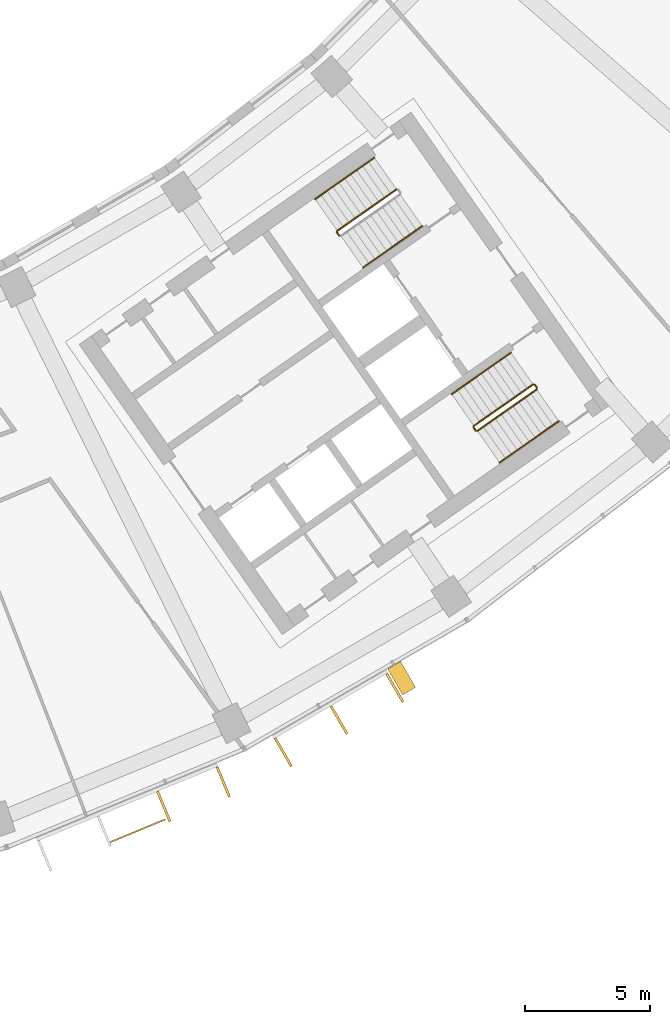
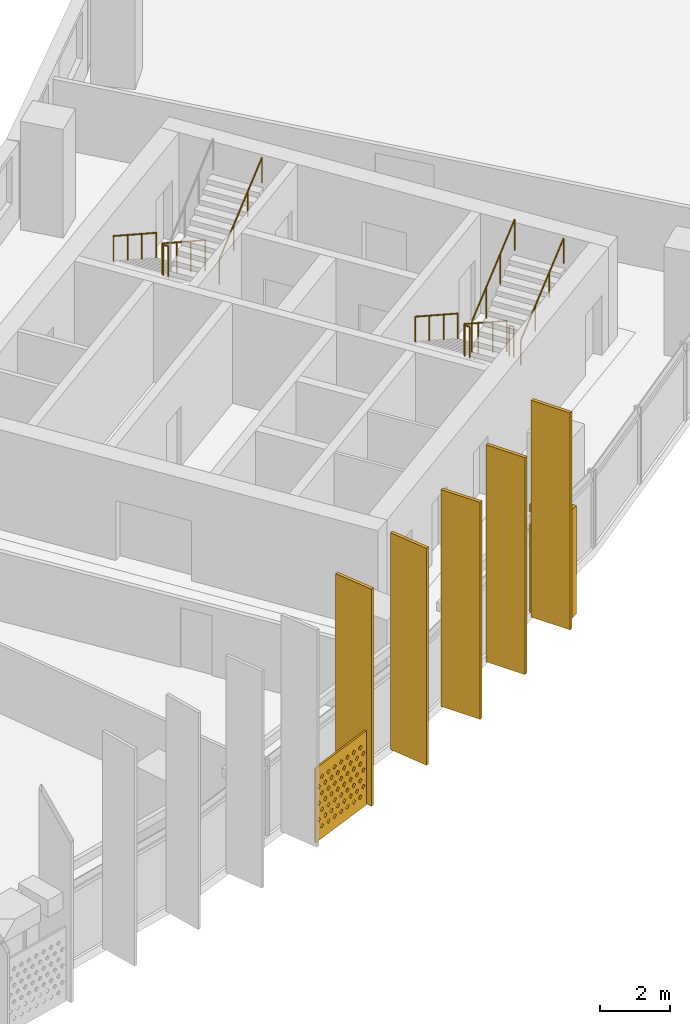
# One storey, part 26 of 27: 8 railings, 7 shading devices.
"""IFC4 building model written with IfcOpenShell, lengths in metres."""

from ifc_helpers import new_model, si_unit, direction, frame, origin, origin_2d, place, context, subcontext, project, spatial, polyline, rectangle, circle, outline, extrude, material, material_profile, profile_set, type_object, element, save


model = new_model("IFC4")

# Units and contexts
model_context = context("Model", 3, precision=1e-05, world=origin(), true_north=direction((0.0, 1.0)))
body_context = subcontext(model_context, "Body", "Model", "MODEL_VIEW")
ifc_project = project(units=[si_unit("LENGTHUNIT", "METRE"), si_unit("AREAUNIT", "SQUARE_METRE"), si_unit("VOLUMEUNIT", "CUBIC_METRE"), si_unit("PLANEANGLEUNIT", "RADIAN"), si_unit("MASSUNIT", "GRAM", prefix="KILO")], contexts=[model_context])

# Site, building, storey
site_placement = place(None, origin())
site = spatial("IfcSite", under=ifc_project, at=site_placement, CompositionType="ELEMENT")
building_placement = place(site_placement, origin())
building = spatial("IfcBuilding", under=site, at=building_placement, Name="Qamariyya Broadcast Tower", CompositionType="ELEMENT")
storey_placement = place(building_placement, frame((0.0, 0.0, 179.699951171875)))
storey = spatial("IfcBuildingStorey", under=building, at=storey_placement, Name="L42", CompositionType="ELEMENT", Elevation=179.699951171875)

# Shading devices
ifc_material_1 = material(Name="Steel S355 powder coated deep red", Category="steel")
shading_device_type_1 = type_object("IfcShadingDeviceType", Name="Deep red frame, powder coated steel box section", PredefinedType="USERDEFINED", material=ifc_material_1)
shading_device_1_placement = place(storey_placement, origin())
element("IfcShadingDevice", 1, at=shading_device_1_placement, inside=storey, type_object=shading_device_type_1, Name="e-frm-B3-F5-posta-L42", ObjectType="FRAME", PredefinedType="USERDEFINED", context=body_context, shape_type="SweptSolid", body=[
    extrude(outline(polyline([(40.647216796875, -67.558349609375), (41.2470703125, -68.59765625), (41.766845703125, -68.297607421875), (41.166748046875, -67.25830078125), (40.647216796875, -67.558349609375)])), origin(), (0.0, 0.0, 1.0), 3.800048828125),
])
ifc_material_2 = material(Name="Perforated glazed terracotta", Category="masonry")
ifc_material_profile_1 = material_profile(ifc_material_2, outline(polyline([(-1.199951171875, -1.300048828125), (1.199951171875, -1.300048828125), (1.199951171875, 1.300048828125), (-1.199951171875, 1.300048828125), (-1.199951171875, -1.300048828125)]), holes=[polyline([(-0.81494140625, -0.86669921875), (-0.89990234375, -0.78173828125), (-0.985107421875, -0.86669921875), (-0.89990234375, -0.95166015625), (-0.81494140625, -0.86669921875)]), polyline([(-0.514892578125, -0.86669921875), (-0.60009765625, -0.78173828125), (-0.68505859375, -0.86669921875), (-0.60009765625, -0.95166015625), (-0.514892578125, -0.86669921875)]), polyline([(-0.215087890625, -0.86669921875), (-0.300048828125, -0.78173828125), (-0.385009765625, -0.86669921875), (-0.300048828125, -0.95166015625), (-0.215087890625, -0.86669921875)]), polyline([(0.0849609375, -0.86669921875), (0.0, -0.78173828125), (-0.0849609375, -0.86669921875), (0.0, -0.95166015625), (0.0849609375, -0.86669921875)]), polyline([(0.385009765625, -0.86669921875), (0.300048828125, -0.78173828125), (0.215087890625, -0.86669921875), (0.300048828125, -0.95166015625), (0.385009765625, -0.86669921875)]), polyline([(0.68505859375, -0.86669921875), (0.60009765625, -0.78173828125), (0.514892578125, -0.86669921875), (0.60009765625, -0.95166015625), (0.68505859375, -0.86669921875)]), polyline([(0.985107421875, -0.86669921875), (0.89990234375, -0.78173828125), (0.81494140625, -0.86669921875), (0.89990234375, -0.95166015625), (0.985107421875, -0.86669921875)]), polyline([(-0.965087890625, -0.577880859375), (-1.050048828125, -0.49267578125), (-1.135009765625, -0.577880859375), (-1.050048828125, -0.662841796875), (-0.965087890625, -0.577880859375)]), polyline([(-0.6650390625, -0.577880859375), (-0.75, -0.49267578125), (-0.8349609375, -0.577880859375), (-0.75, -0.662841796875), (-0.6650390625, -0.577880859375)]), polyline([(-0.364990234375, -0.577880859375), (-0.449951171875, -0.49267578125), (-0.534912109375, -0.577880859375), (-0.449951171875, -0.662841796875), (-0.364990234375, -0.577880859375)]), polyline([(-0.06494140625, -0.577880859375), (-0.14990234375, -0.49267578125), (-0.235107421875, -0.577880859375), (-0.14990234375, -0.662841796875), (-0.06494140625, -0.577880859375)]), polyline([(0.235107421875, -0.577880859375), (0.14990234375, -0.49267578125), (0.06494140625, -0.577880859375), (0.14990234375, -0.662841796875), (0.235107421875, -0.577880859375)]), polyline([(0.534912109375, -0.577880859375), (0.449951171875, -0.49267578125), (0.364990234375, -0.577880859375), (0.449951171875, -0.662841796875), (0.534912109375, -0.577880859375)]), polyline([(0.8349609375, -0.577880859375), (0.75, -0.49267578125), (0.6650390625, -0.577880859375), (0.75, -0.662841796875), (0.8349609375, -0.577880859375)]), polyline([(1.135009765625, -0.577880859375), (1.050048828125, -0.49267578125), (0.965087890625, -0.577880859375), (1.050048828125, -0.662841796875), (1.135009765625, -0.577880859375)]), polyline([(-0.81494140625, -0.288818359375), (-0.89990234375, -0.203857421875), (-0.985107421875, -0.288818359375), (-0.89990234375, -0.373779296875), (-0.81494140625, -0.288818359375)]), polyline([(-0.514892578125, -0.288818359375), (-0.60009765625, -0.203857421875), (-0.68505859375, -0.288818359375), (-0.60009765625, -0.373779296875), (-0.514892578125, -0.288818359375)]), polyline([(-0.215087890625, -0.288818359375), (-0.300048828125, -0.203857421875), (-0.385009765625, -0.288818359375), (-0.300048828125, -0.373779296875), (-0.215087890625, -0.288818359375)]), polyline([(0.0849609375, -0.288818359375), (0.0, -0.203857421875), (-0.0849609375, -0.288818359375), (0.0, -0.373779296875), (0.0849609375, -0.288818359375)]), polyline([(0.385009765625, -0.288818359375), (0.300048828125, -0.203857421875), (0.215087890625, -0.288818359375), (0.300048828125, -0.373779296875), (0.385009765625, -0.288818359375)]), polyline([(0.68505859375, -0.288818359375), (0.60009765625, -0.203857421875), (0.514892578125, -0.288818359375), (0.60009765625, -0.373779296875), (0.68505859375, -0.288818359375)]), polyline([(0.985107421875, -0.288818359375), (0.89990234375, -0.203857421875), (0.81494140625, -0.288818359375), (0.89990234375, -0.373779296875), (0.985107421875, -0.288818359375)]), polyline([(-0.965087890625, 0.0), (-1.050048828125, 0.0849609375), (-1.135009765625, 0.0), (-1.050048828125, -0.0849609375), (-0.965087890625, 0.0)]), polyline([(-0.6650390625, 0.0), (-0.75, 0.0849609375), (-0.8349609375, 0.0), (-0.75, -0.0849609375), (-0.6650390625, 0.0)]), polyline([(-0.364990234375, 0.0), (-0.449951171875, 0.0849609375), (-0.534912109375, 0.0), (-0.449951171875, -0.0849609375), (-0.364990234375, 0.0)]), polyline([(-0.06494140625, 0.0), (-0.14990234375, 0.0849609375), (-0.235107421875, 0.0), (-0.14990234375, -0.0849609375), (-0.06494140625, 0.0)]), polyline([(0.235107421875, 0.0), (0.14990234375, 0.0849609375), (0.06494140625, 0.0), (0.14990234375, -0.0849609375), (0.235107421875, 0.0)]), polyline([(0.534912109375, 0.0), (0.449951171875, 0.0849609375), (0.364990234375, 0.0), (0.449951171875, -0.0849609375), (0.534912109375, 0.0)]), polyline([(0.8349609375, 0.0), (0.75, 0.0849609375), (0.6650390625, 0.0), (0.75, -0.0849609375), (0.8349609375, 0.0)]), polyline([(1.135009765625, 0.0), (1.050048828125, 0.0849609375), (0.965087890625, 0.0), (1.050048828125, -0.0849609375), (1.135009765625, 0.0)]), polyline([(-0.81494140625, 0.288818359375), (-0.89990234375, 0.373779296875), (-0.985107421875, 0.288818359375), (-0.89990234375, 0.203857421875), (-0.81494140625, 0.288818359375)]), polyline([(-0.514892578125, 0.288818359375), (-0.60009765625, 0.373779296875), (-0.68505859375, 0.288818359375), (-0.60009765625, 0.203857421875), (-0.514892578125, 0.288818359375)]), polyline([(-0.215087890625, 0.288818359375), (-0.300048828125, 0.373779296875), (-0.385009765625, 0.288818359375), (-0.300048828125, 0.203857421875), (-0.215087890625, 0.288818359375)]), polyline([(0.0849609375, 0.288818359375), (0.0, 0.373779296875), (-0.0849609375, 0.288818359375), (0.0, 0.203857421875), (0.0849609375, 0.288818359375)]), polyline([(0.385009765625, 0.288818359375), (0.300048828125, 0.373779296875), (0.215087890625, 0.288818359375), (0.300048828125, 0.203857421875), (0.385009765625, 0.288818359375)]), polyline([(0.68505859375, 0.288818359375), (0.60009765625, 0.373779296875), (0.514892578125, 0.288818359375), (0.60009765625, 0.203857421875), (0.68505859375, 0.288818359375)]), polyline([(0.985107421875, 0.288818359375), (0.89990234375, 0.373779296875), (0.81494140625, 0.288818359375), (0.89990234375, 0.203857421875), (0.985107421875, 0.288818359375)]), polyline([(-0.965087890625, 0.577880859375), (-1.050048828125, 0.662841796875), (-1.135009765625, 0.577880859375), (-1.050048828125, 0.49267578125), (-0.965087890625, 0.577880859375)]), polyline([(-0.6650390625, 0.577880859375), (-0.75, 0.662841796875), (-0.8349609375, 0.577880859375), (-0.75, 0.49267578125), (-0.6650390625, 0.577880859375)]), polyline([(-0.364990234375, 0.577880859375), (-0.449951171875, 0.662841796875), (-0.534912109375, 0.577880859375), (-0.449951171875, 0.49267578125), (-0.364990234375, 0.577880859375)]), polyline([(-0.06494140625, 0.577880859375), (-0.14990234375, 0.662841796875), (-0.235107421875, 0.577880859375), (-0.14990234375, 0.49267578125), (-0.06494140625, 0.577880859375)]), polyline([(0.235107421875, 0.577880859375), (0.14990234375, 0.662841796875), (0.06494140625, 0.577880859375), (0.14990234375, 0.49267578125), (0.235107421875, 0.577880859375)]), polyline([(0.534912109375, 0.577880859375), (0.449951171875, 0.662841796875), (0.364990234375, 0.577880859375), (0.449951171875, 0.49267578125), (0.534912109375, 0.577880859375)]), polyline([(0.8349609375, 0.577880859375), (0.75, 0.662841796875), (0.6650390625, 0.577880859375), (0.75, 0.49267578125), (0.8349609375, 0.577880859375)]), polyline([(1.135009765625, 0.577880859375), (1.050048828125, 0.662841796875), (0.965087890625, 0.577880859375), (1.050048828125, 0.49267578125), (1.135009765625, 0.577880859375)]), polyline([(-0.81494140625, 0.86669921875), (-0.89990234375, 0.95166015625), (-0.985107421875, 0.86669921875), (-0.89990234375, 0.78173828125), (-0.81494140625, 0.86669921875)]), polyline([(-0.514892578125, 0.86669921875), (-0.60009765625, 0.95166015625), (-0.68505859375, 0.86669921875), (-0.60009765625, 0.78173828125), (-0.514892578125, 0.86669921875)]), polyline([(-0.215087890625, 0.86669921875), (-0.300048828125, 0.95166015625), (-0.385009765625, 0.86669921875), (-0.300048828125, 0.78173828125), (-0.215087890625, 0.86669921875)]), polyline([(0.0849609375, 0.86669921875), (0.0, 0.95166015625), (-0.0849609375, 0.86669921875), (0.0, 0.78173828125), (0.0849609375, 0.86669921875)]), polyline([(0.385009765625, 0.86669921875), (0.300048828125, 0.95166015625), (0.215087890625, 0.86669921875), (0.300048828125, 0.78173828125), (0.385009765625, 0.86669921875)]), polyline([(0.68505859375, 0.86669921875), (0.60009765625, 0.95166015625), (0.514892578125, 0.86669921875), (0.60009765625, 0.78173828125), (0.68505859375, 0.86669921875)]), polyline([(0.985107421875, 0.86669921875), (0.89990234375, 0.95166015625), (0.81494140625, 0.86669921875), (0.89990234375, 0.78173828125), (0.985107421875, 0.86669921875)])]))
ifc_profile_set_1 = profile_set([ifc_material_profile_1], Name="Perforated glazed terracotta")
shading_device_type_2 = type_object("IfcShadingDeviceType", Name="Perforated terracotta screen 2400 x 2600", PredefinedType="USERDEFINED", material=ifc_profile_set_1)
shading_device_2_placement = place(storey_placement, frame((30.61474609375, -74.01953125, 1.35009765625), z_axis=(0.382591441855, -0.923917630863, 0.0), x_axis=(0.923917630863, 0.382591441855, 0.0)))
element("IfcShadingDevice", 2, at=shading_device_2_placement, inside=storey, type_object=shading_device_type_2, Name="e-scr-L42-10-1", ObjectType="SCREEN", PredefinedType="USERDEFINED", context=body_context, shape_type="SweptSolid", body=[
    extrude(outline(polyline([(-1.199951171875, -1.300048828125), (1.199951171875, -1.300048828125), (1.199951171875, 1.300048828125), (-1.199951171875, 1.300048828125), (-1.199951171875, -1.300048828125)]), holes=[polyline([(-0.81494140625, -0.86669921875), (-0.89990234375, -0.78173828125), (-0.985107421875, -0.86669921875), (-0.89990234375, -0.95166015625), (-0.81494140625, -0.86669921875)]), polyline([(-0.514892578125, -0.86669921875), (-0.60009765625, -0.78173828125), (-0.68505859375, -0.86669921875), (-0.60009765625, -0.95166015625), (-0.514892578125, -0.86669921875)]), polyline([(-0.215087890625, -0.86669921875), (-0.300048828125, -0.78173828125), (-0.385009765625, -0.86669921875), (-0.300048828125, -0.95166015625), (-0.215087890625, -0.86669921875)]), polyline([(0.0849609375, -0.86669921875), (0.0, -0.78173828125), (-0.0849609375, -0.86669921875), (0.0, -0.95166015625), (0.0849609375, -0.86669921875)]), polyline([(0.385009765625, -0.86669921875), (0.300048828125, -0.78173828125), (0.215087890625, -0.86669921875), (0.300048828125, -0.95166015625), (0.385009765625, -0.86669921875)]), polyline([(0.68505859375, -0.86669921875), (0.60009765625, -0.78173828125), (0.514892578125, -0.86669921875), (0.60009765625, -0.95166015625), (0.68505859375, -0.86669921875)]), polyline([(0.985107421875, -0.86669921875), (0.89990234375, -0.78173828125), (0.81494140625, -0.86669921875), (0.89990234375, -0.95166015625), (0.985107421875, -0.86669921875)]), polyline([(-0.965087890625, -0.577880859375), (-1.050048828125, -0.49267578125), (-1.135009765625, -0.577880859375), (-1.050048828125, -0.662841796875), (-0.965087890625, -0.577880859375)]), polyline([(-0.6650390625, -0.577880859375), (-0.75, -0.49267578125), (-0.8349609375, -0.577880859375), (-0.75, -0.662841796875), (-0.6650390625, -0.577880859375)]), polyline([(-0.364990234375, -0.577880859375), (-0.449951171875, -0.49267578125), (-0.534912109375, -0.577880859375), (-0.449951171875, -0.662841796875), (-0.364990234375, -0.577880859375)]), polyline([(-0.06494140625, -0.577880859375), (-0.14990234375, -0.49267578125), (-0.235107421875, -0.577880859375), (-0.14990234375, -0.662841796875), (-0.06494140625, -0.577880859375)]), polyline([(0.235107421875, -0.577880859375), (0.14990234375, -0.49267578125), (0.06494140625, -0.577880859375), (0.14990234375, -0.662841796875), (0.235107421875, -0.577880859375)]), polyline([(0.534912109375, -0.577880859375), (0.449951171875, -0.49267578125), (0.364990234375, -0.577880859375), (0.449951171875, -0.662841796875), (0.534912109375, -0.577880859375)]), polyline([(0.8349609375, -0.577880859375), (0.75, -0.49267578125), (0.6650390625, -0.577880859375), (0.75, -0.662841796875), (0.8349609375, -0.577880859375)]), polyline([(1.135009765625, -0.577880859375), (1.050048828125, -0.49267578125), (0.965087890625, -0.577880859375), (1.050048828125, -0.662841796875), (1.135009765625, -0.577880859375)]), polyline([(-0.81494140625, -0.288818359375), (-0.89990234375, -0.203857421875), (-0.985107421875, -0.288818359375), (-0.89990234375, -0.373779296875), (-0.81494140625, -0.288818359375)]), polyline([(-0.514892578125, -0.288818359375), (-0.60009765625, -0.203857421875), (-0.68505859375, -0.288818359375), (-0.60009765625, -0.373779296875), (-0.514892578125, -0.288818359375)]), polyline([(-0.215087890625, -0.288818359375), (-0.300048828125, -0.203857421875), (-0.385009765625, -0.288818359375), (-0.300048828125, -0.373779296875), (-0.215087890625, -0.288818359375)]), polyline([(0.0849609375, -0.288818359375), (0.0, -0.203857421875), (-0.0849609375, -0.288818359375), (0.0, -0.373779296875), (0.0849609375, -0.288818359375)]), polyline([(0.385009765625, -0.288818359375), (0.300048828125, -0.203857421875), (0.215087890625, -0.288818359375), (0.300048828125, -0.373779296875), (0.385009765625, -0.288818359375)]), polyline([(0.68505859375, -0.288818359375), (0.60009765625, -0.203857421875), (0.514892578125, -0.288818359375), (0.60009765625, -0.373779296875), (0.68505859375, -0.288818359375)]), polyline([(0.985107421875, -0.288818359375), (0.89990234375, -0.203857421875), (0.81494140625, -0.288818359375), (0.89990234375, -0.373779296875), (0.985107421875, -0.288818359375)]), polyline([(-0.965087890625, 0.0), (-1.050048828125, 0.0849609375), (-1.135009765625, 0.0), (-1.050048828125, -0.0849609375), (-0.965087890625, 0.0)]), polyline([(-0.6650390625, 0.0), (-0.75, 0.0849609375), (-0.8349609375, 0.0), (-0.75, -0.0849609375), (-0.6650390625, 0.0)]), polyline([(-0.364990234375, 0.0), (-0.449951171875, 0.0849609375), (-0.534912109375, 0.0), (-0.449951171875, -0.0849609375), (-0.364990234375, 0.0)]), polyline([(-0.06494140625, 0.0), (-0.14990234375, 0.0849609375), (-0.235107421875, 0.0), (-0.14990234375, -0.0849609375), (-0.06494140625, 0.0)]), polyline([(0.235107421875, 0.0), (0.14990234375, 0.0849609375), (0.06494140625, 0.0), (0.14990234375, -0.0849609375), (0.235107421875, 0.0)]), polyline([(0.534912109375, 0.0), (0.449951171875, 0.0849609375), (0.364990234375, 0.0), (0.449951171875, -0.0849609375), (0.534912109375, 0.0)]), polyline([(0.8349609375, 0.0), (0.75, 0.0849609375), (0.6650390625, 0.0), (0.75, -0.0849609375), (0.8349609375, 0.0)]), polyline([(1.135009765625, 0.0), (1.050048828125, 0.0849609375), (0.965087890625, 0.0), (1.050048828125, -0.0849609375), (1.135009765625, 0.0)]), polyline([(-0.81494140625, 0.288818359375), (-0.89990234375, 0.373779296875), (-0.985107421875, 0.288818359375), (-0.89990234375, 0.203857421875), (-0.81494140625, 0.288818359375)]), polyline([(-0.514892578125, 0.288818359375), (-0.60009765625, 0.373779296875), (-0.68505859375, 0.288818359375), (-0.60009765625, 0.203857421875), (-0.514892578125, 0.288818359375)]), polyline([(-0.215087890625, 0.288818359375), (-0.300048828125, 0.373779296875), (-0.385009765625, 0.288818359375), (-0.300048828125, 0.203857421875), (-0.215087890625, 0.288818359375)]), polyline([(0.0849609375, 0.288818359375), (0.0, 0.373779296875), (-0.0849609375, 0.288818359375), (0.0, 0.203857421875), (0.0849609375, 0.288818359375)]), polyline([(0.385009765625, 0.288818359375), (0.300048828125, 0.373779296875), (0.215087890625, 0.288818359375), (0.300048828125, 0.203857421875), (0.385009765625, 0.288818359375)]), polyline([(0.68505859375, 0.288818359375), (0.60009765625, 0.373779296875), (0.514892578125, 0.288818359375), (0.60009765625, 0.203857421875), (0.68505859375, 0.288818359375)]), polyline([(0.985107421875, 0.288818359375), (0.89990234375, 0.373779296875), (0.81494140625, 0.288818359375), (0.89990234375, 0.203857421875), (0.985107421875, 0.288818359375)]), polyline([(-0.965087890625, 0.577880859375), (-1.050048828125, 0.662841796875), (-1.135009765625, 0.577880859375), (-1.050048828125, 0.49267578125), (-0.965087890625, 0.577880859375)]), polyline([(-0.6650390625, 0.577880859375), (-0.75, 0.662841796875), (-0.8349609375, 0.577880859375), (-0.75, 0.49267578125), (-0.6650390625, 0.577880859375)]), polyline([(-0.364990234375, 0.577880859375), (-0.449951171875, 0.662841796875), (-0.534912109375, 0.577880859375), (-0.449951171875, 0.49267578125), (-0.364990234375, 0.577880859375)]), polyline([(-0.06494140625, 0.577880859375), (-0.14990234375, 0.662841796875), (-0.235107421875, 0.577880859375), (-0.14990234375, 0.49267578125), (-0.06494140625, 0.577880859375)]), polyline([(0.235107421875, 0.577880859375), (0.14990234375, 0.662841796875), (0.06494140625, 0.577880859375), (0.14990234375, 0.49267578125), (0.235107421875, 0.577880859375)]), polyline([(0.534912109375, 0.577880859375), (0.449951171875, 0.662841796875), (0.364990234375, 0.577880859375), (0.449951171875, 0.49267578125), (0.534912109375, 0.577880859375)]), polyline([(0.8349609375, 0.577880859375), (0.75, 0.662841796875), (0.6650390625, 0.577880859375), (0.75, 0.49267578125), (0.8349609375, 0.577880859375)]), polyline([(1.135009765625, 0.577880859375), (1.050048828125, 0.662841796875), (0.965087890625, 0.577880859375), (1.050048828125, 0.49267578125), (1.135009765625, 0.577880859375)]), polyline([(-0.81494140625, 0.86669921875), (-0.89990234375, 0.95166015625), (-0.985107421875, 0.86669921875), (-0.89990234375, 0.78173828125), (-0.81494140625, 0.86669921875)]), polyline([(-0.514892578125, 0.86669921875), (-0.60009765625, 0.95166015625), (-0.68505859375, 0.86669921875), (-0.60009765625, 0.78173828125), (-0.514892578125, 0.86669921875)]), polyline([(-0.215087890625, 0.86669921875), (-0.300048828125, 0.95166015625), (-0.385009765625, 0.86669921875), (-0.300048828125, 0.78173828125), (-0.215087890625, 0.86669921875)]), polyline([(0.0849609375, 0.86669921875), (0.0, 0.95166015625), (-0.0849609375, 0.86669921875), (0.0, 0.78173828125), (0.0849609375, 0.86669921875)]), polyline([(0.385009765625, 0.86669921875), (0.300048828125, 0.95166015625), (0.215087890625, 0.86669921875), (0.300048828125, 0.78173828125), (0.385009765625, 0.86669921875)]), polyline([(0.68505859375, 0.86669921875), (0.60009765625, 0.95166015625), (0.514892578125, 0.86669921875), (0.60009765625, 0.78173828125), (0.68505859375, 0.86669921875)]), polyline([(0.985107421875, 0.86669921875), (0.89990234375, 0.95166015625), (0.81494140625, 0.86669921875), (0.89990234375, 0.78173828125), (0.985107421875, 0.86669921875)])]), origin(), (0.0, 0.0, 1.0), 0.06005859375),
])

# Railings
ifc_material_3 = material(Name="Painted steel", Category="steel")
railing_type_1 = type_object("IfcRailingType", Name="Stair guard", PredefinedType="GUARDRAIL", material=ifc_material_3)
railing_1_placement = place(storey_placement, frame((41.003173828125, -48.320068359375, 0.1728515625)))
element("IfcRailing", 3, at=railing_1_placement, inside=storey, type_object=railing_type_1, Name="L42 ST-E2 stair guard 1", PredefinedType="GUARDRAIL", context=body_context, shape_type="SweptSolid", body=[
    extrude(circle(Radius=0.02392578125, at=origin_2d()), frame((0.0, 0.0, 1.076171875), z_axis=(-0.703770094002, -0.492783725636, 0.511734163933), x_axis=(0.573575343427, -0.819152809562, 0.0)), (0.0, 0.0, 1.0), 3.37548828125),
    extrude(circle(Radius=0.02392578125, at=origin_2d()), frame((-2.37548828125, -1.663330078125, 2.80322265625), z_axis=(-0.172799478008, -0.984957024646, 0.0), x_axis=(0.984957024646, -0.172799478008, 0.0)), (0.0, 0.0, 1.0), 0.070556640625),
    extrude(circle(Radius=0.02392578125, at=origin_2d()), frame((-2.3876953125, -1.73291015625, 2.80322265625), z_axis=(0.572588637393, -0.819842821722, 0.0), x_axis=(0.819842821722, 0.572588637393, 0.0)), (0.0, 0.0, 1.0), 0.150146484375),
    extrude(circle(Radius=0.02099609375, at=origin_2d()), origin(), (0.0, 0.0, 1.0), 1.052001953125),
    extrude(circle(Radius=0.02099609375, at=origin_2d()), frame((-0.791748046875, -0.554443359375, 0.57568359375)), (0.0, 0.0, 1.0), 1.052001953125),
    extrude(circle(Radius=0.02099609375, at=origin_2d()), frame((-1.583740234375, -1.10888671875, 1.151611328125)), (0.0, 0.0, 1.0), 1.052001953125),
    extrude(circle(Radius=0.02099609375, at=origin_2d()), frame((-2.37548828125, -1.663330078125, 1.727294921875)), (0.0, 0.0, 1.0), 1.052001953125),
    extrude(circle(Radius=0.02099609375, at=origin_2d()), frame((-2.3876953125, -1.73291015625, 1.727294921875)), (0.0, 0.0, 1.0), 1.052001953125),
    extrude(circle(Radius=0.02099609375, at=origin_2d()), frame((-2.3017578125, -1.85595703125, 1.727294921875)), (0.0, 0.0, 1.0), 1.052001953125),
])
railing_2_placement = place(storey_placement, frame((46.48095703125, -56.14306640625, 0.1728515625)))
element("IfcRailing", 4, at=railing_2_placement, inside=storey, type_object=railing_type_1, Name="L42 ST-E1 stair guard 1", PredefinedType="GUARDRAIL", context=body_context, shape_type="SweptSolid", body=[
    extrude(circle(Radius=0.02392578125, at=origin_2d()), frame((0.0, 0.0, 1.076171875), z_axis=(-0.703770094002, -0.492783725636, 0.511734163933), x_axis=(0.573575343427, -0.819152809562, 0.0)), (0.0, 0.0, 1.0), 3.37548828125),
    extrude(circle(Radius=0.02392578125, at=origin_2d()), frame((-2.37548828125, -1.663330078125, 2.80322265625), z_axis=(-0.176149252506, -0.984363469884, 0.0), x_axis=(0.984363469884, -0.176149252506, 0.0)), (0.0, 0.0, 1.0), 0.07080078125),
    extrude(circle(Radius=0.02392578125, at=origin_2d()), frame((-2.387939453125, -1.73291015625, 2.80322265625), z_axis=(0.574444878118, -0.818543268254, 0.0), x_axis=(0.818543268254, 0.574444878118, 0.0)), (0.0, 0.0, 1.0), 0.150146484375),
    extrude(circle(Radius=0.02099609375, at=origin_2d()), origin(), (0.0, 0.0, 1.0), 1.052001953125),
    extrude(circle(Radius=0.02099609375, at=origin_2d()), frame((-0.791748046875, -0.554443359375, 0.57568359375)), (0.0, 0.0, 1.0), 1.052001953125),
    extrude(circle(Radius=0.02099609375, at=origin_2d()), frame((-1.583740234375, -1.10888671875, 1.151611328125)), (0.0, 0.0, 1.0), 1.052001953125),
    extrude(circle(Radius=0.02099609375, at=origin_2d()), frame((-2.37548828125, -1.663330078125, 1.727294921875)), (0.0, 0.0, 1.0), 1.052001953125),
    extrude(circle(Radius=0.02099609375, at=origin_2d()), frame((-2.387939453125, -1.73291015625, 1.727294921875)), (0.0, 0.0, 1.0), 1.052001953125),
    extrude(circle(Radius=0.02099609375, at=origin_2d()), frame((-2.3017578125, -1.855712890625, 1.727294921875)), (0.0, 0.0, 1.0), 1.052001953125),
])
railing_3_placement = place(storey_placement, frame((44.248779296875, -58.01123046875, 2.07275390625)))
element("IfcRailing", 5, at=railing_3_placement, inside=storey, type_object=railing_type_1, Name="L42 ST-E1 stair guard 2", PredefinedType="GUARDRAIL", context=body_context, shape_type="SweptSolid", body=[
    extrude(circle(Radius=0.02392578125, at=origin_2d()), frame((0.0, 0.0, 1.076171875), z_axis=(0.703745009021, 0.492838488332, 0.511715923826), x_axis=(-0.573631830683, 0.819113253969, 0.0)), (0.0, 0.0, 1.0), 3.37548828125),
    extrude(circle(Radius=0.02099609375, at=origin_2d()), origin(), (0.0, 0.0, 1.0), 1.052001953125),
    extrude(circle(Radius=0.02099609375, at=origin_2d()), frame((0.791748046875, 0.554443359375, 0.57568359375)), (0.0, 0.0, 1.0), 1.052001953125),
    extrude(circle(Radius=0.02099609375, at=origin_2d()), frame((1.583740234375, 1.109130859375, 1.151611328125)), (0.0, 0.0, 1.0), 1.052001953125),
    extrude(circle(Radius=0.02099609375, at=origin_2d()), frame((2.37548828125, 1.66357421875, 1.727294921875)), (0.0, 0.0, 1.0), 1.052001953125),
])
railing_4_placement = place(storey_placement, frame((46.550537109375, -56.1552734375, 0.0)))
element("IfcRailing", 6, at=railing_4_placement, inside=storey, type_object=railing_type_1, Name="L42 ST-E1 stair guard 3", PredefinedType="GUARDRAIL", context=body_context, shape_type="SweptSolid", body=[
    extrude(circle(Radius=0.02392578125, at=origin_2d()), frame((0.0, 0.0, 1.076171875), z_axis=(0.574444878118, -0.818543268254, 0.0), x_axis=(0.818543268254, 0.574444878118, 0.0)), (0.0, 0.0, 1.0), 0.150146484375),
    extrude(circle(Radius=0.02099609375, at=origin_2d()), origin(), (0.0, 0.0, 1.0), 1.052001953125),
    extrude(circle(Radius=0.02099609375, at=origin_2d()), frame((0.086181640625, -0.122802734375, 0.0)), (0.0, 0.0, 1.0), 1.052001953125),
])
ifc_material_4 = material(Name="Stainless steel", Category="steel")
railing_type_2 = type_object("IfcRailingType", Name="Stair handrail", PredefinedType="HANDRAIL", material=ifc_material_4)
railing_5_placement = place(storey_placement, frame((40.1142578125, -47.05029296875, 0.1728515625)))
element("IfcRailing", 7, at=railing_5_placement, inside=storey, type_object=railing_type_2, Name="L42 ST-E2 stair handrail 1", PredefinedType="HANDRAIL", context=body_context, shape_type="SweptSolid", body=[
    extrude(circle(Radius=0.02392578125, at=origin_2d()), frame((0.0, 0.0, 0.8759765625), z_axis=(-0.703745009021, -0.492838488332, 0.511715923826), x_axis=(0.573631830683, -0.819113253969, 0.0)), (0.0, 0.0, 1.0), 3.37548828125),
    extrude(circle(Radius=0.02099609375, at=origin_2d()), origin(), (0.0, 0.0, 1.0), 0.851806640625),
    extrude(circle(Radius=0.02099609375, at=origin_2d()), frame((-0.791748046875, -0.554443359375, 0.57568359375)), (0.0, 0.0, 1.0), 0.851806640625),
    extrude(circle(Radius=0.02099609375, at=origin_2d()), frame((-1.583740234375, -1.109130859375, 1.151611328125)), (0.0, 0.0, 1.0), 0.851806640625),
    extrude(circle(Radius=0.02099609375, at=origin_2d()), frame((-2.37548828125, -1.66357421875, 1.727294921875)), (0.0, 0.0, 1.0), 0.851806640625),
])
railing_6_placement = place(storey_placement, frame((39.66015625, -51.4580078125, 2.07275390625)))
element("IfcRailing", 8, at=railing_6_placement, inside=storey, type_object=railing_type_2, Name="L42 ST-E2 stair handrail 2", PredefinedType="HANDRAIL", context=body_context, shape_type="SweptSolid", body=[
    extrude(circle(Radius=0.02392578125, at=origin_2d()), frame((0.0, 0.0, 0.8759765625), z_axis=(0.703745009021, 0.492838488332, 0.511715923826), x_axis=(-0.573631830683, 0.819113253969, 0.0)), (0.0, 0.0, 1.0), 3.37548828125),
    extrude(circle(Radius=0.02099609375, at=origin_2d()), origin(), (0.0, 0.0, 1.0), 0.851806640625),
    extrude(circle(Radius=0.02099609375, at=origin_2d()), frame((0.791748046875, 0.554443359375, 0.57568359375)), (0.0, 0.0, 1.0), 0.851806640625),
    extrude(circle(Radius=0.02099609375, at=origin_2d()), frame((1.583740234375, 1.109130859375, 1.151611328125)), (0.0, 0.0, 1.0), 0.851806640625),
    extrude(circle(Radius=0.02099609375, at=origin_2d()), frame((2.37548828125, 1.66357421875, 1.727294921875)), (0.0, 0.0, 1.0), 0.851806640625),
])
railing_7_placement = place(storey_placement, frame((45.591796875, -54.873291015625, 0.1728515625)))
element("IfcRailing", 9, at=railing_7_placement, inside=storey, type_object=railing_type_2, Name="L42 ST-E1 stair handrail 1", PredefinedType="HANDRAIL", context=body_context, shape_type="SweptSolid", body=[
    extrude(circle(Radius=0.02392578125, at=origin_2d()), frame((0.0, 0.0, 0.8759765625), z_axis=(-0.703770094002, -0.492783725636, 0.511734163933), x_axis=(0.573575343427, -0.819152809562, 0.0)), (0.0, 0.0, 1.0), 3.37548828125),
    extrude(circle(Radius=0.02099609375, at=origin_2d()), origin(), (0.0, 0.0, 1.0), 0.851806640625),
    extrude(circle(Radius=0.02099609375, at=origin_2d()), frame((-0.791748046875, -0.554443359375, 0.57568359375)), (0.0, 0.0, 1.0), 0.851806640625),
    extrude(circle(Radius=0.02099609375, at=origin_2d()), frame((-1.583740234375, -1.10888671875, 1.151611328125)), (0.0, 0.0, 1.0), 0.851806640625),
    extrude(circle(Radius=0.02099609375, at=origin_2d()), frame((-2.37548828125, -1.663330078125, 1.727294921875)), (0.0, 0.0, 1.0), 0.851806640625),
])
railing_8_placement = place(storey_placement, frame((45.137939453125, -59.28076171875, 2.07275390625)))
element("IfcRailing", 10, at=railing_8_placement, inside=storey, type_object=railing_type_2, Name="L42 ST-E1 stair handrail 2", PredefinedType="HANDRAIL", context=body_context, shape_type="SweptSolid", body=[
    extrude(circle(Radius=0.02392578125, at=origin_2d()), frame((0.0, 0.0, 0.8759765625), z_axis=(0.703770094002, 0.492783725636, 0.511734163933), x_axis=(-0.573575343427, 0.819152809562, 0.0)), (0.0, 0.0, 1.0), 3.37548828125),
    extrude(circle(Radius=0.02099609375, at=origin_2d()), origin(), (0.0, 0.0, 1.0), 0.851806640625),
    extrude(circle(Radius=0.02099609375, at=origin_2d()), frame((0.791748046875, 0.554443359375, 0.57568359375)), (0.0, 0.0, 1.0), 0.851806640625),
    extrude(circle(Radius=0.02099609375, at=origin_2d()), frame((1.583740234375, 1.10888671875, 1.151611328125)), (0.0, 0.0, 1.0), 0.851806640625),
    extrude(circle(Radius=0.02099609375, at=origin_2d()), frame((2.37548828125, 1.663330078125, 1.727294921875)), (0.0, 0.0, 1.0), 0.851806640625),
])

# Shading devices
ifc_material_5 = material(Name="Glazed terracotta", Category="masonry")
ifc_material_profile_2 = material_profile(ifc_material_5, rectangle(XDim=1.300048828125, YDim=0.10009765625, at=origin_2d()))
ifc_profile_set_2 = profile_set([ifc_material_profile_2], Name="Glazed terracotta")
shading_device_type_3 = type_object("IfcShadingDeviceType", Name="Terracotta fin 100 x 1300", PredefinedType="USERDEFINED", material=ifc_profile_set_2)
for number, where, z_axis, x_axis, name in (
    (11, (31.666748046875, -73.074951171875, 0.0), (0.0, 0.0, 1.0), (0.382683432365, -0.923879532511, 0.0), "e-fin-L42-10-2"),
    (12, (34.053466796875, -72.08642578125, 0.0), (0.0, 0.0, 1.0), (0.382683432365, -0.923879532511, 0.0), "e-fin-L42-10-3"),
    (13, (36.45947265625, -70.89990234375, 0.0), (0.0, 0.0, 1.0), (0.5, -0.866025403784, 0.0), "e-fin-L42-11-0"),
    (14, (38.69677734375, -69.608154296875, 0.0), (0.0, 0.0, 1.0), (0.5, -0.866025403784, 0.0), "e-fin-L42-11-1"),
    (15, (40.93408203125, -68.31640625, 0.0), (0.0, 0.0, 1.0), (0.5, -0.866025403784, 0.0), "e-fin-L42-11-2"),
):
    element("IfcShadingDevice", number, at=place(storey_placement, frame(where, z_axis=z_axis, x_axis=x_axis)), inside=storey, type_object=shading_device_type_3, Name=name, ObjectType="FIN", PredefinedType="USERDEFINED", context=body_context, shape_type="SweptSolid", body=[
        extrude(rectangle(XDim=1.300048828125, YDim=0.10009765625, at=origin_2d()), origin(), (0.0, 0.0, 1.0), 7.60009765625),
    ])

save(model, "model.ifc")
